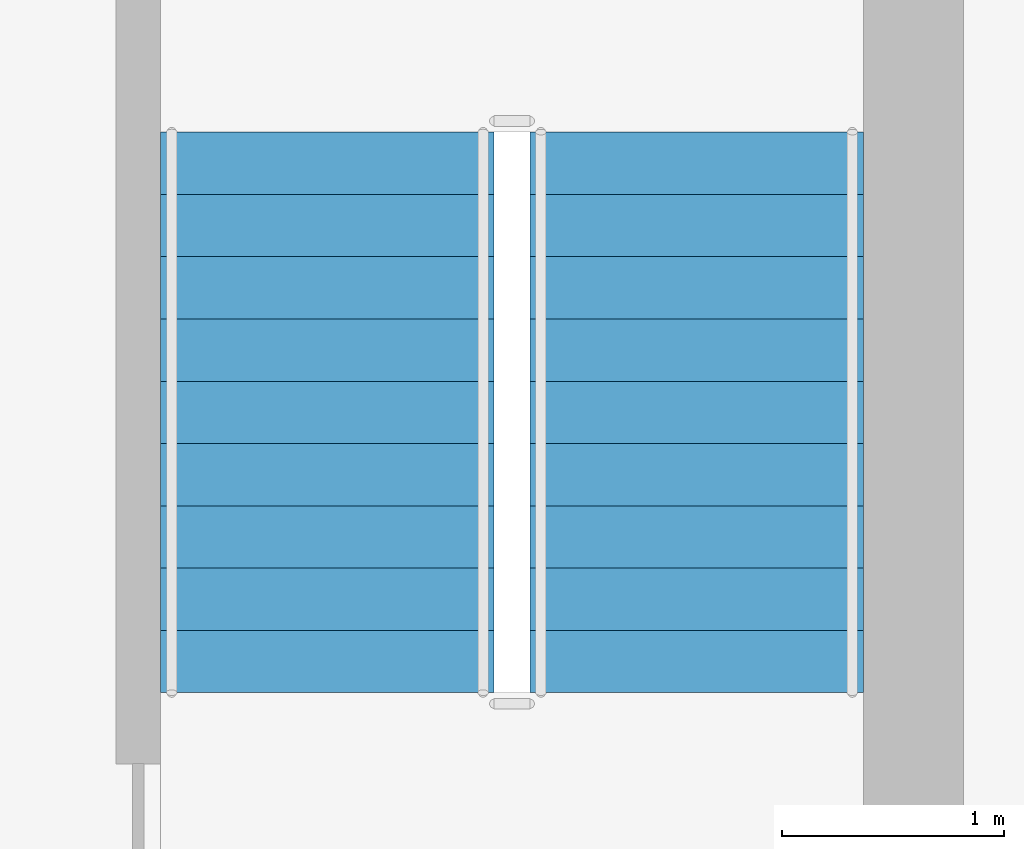
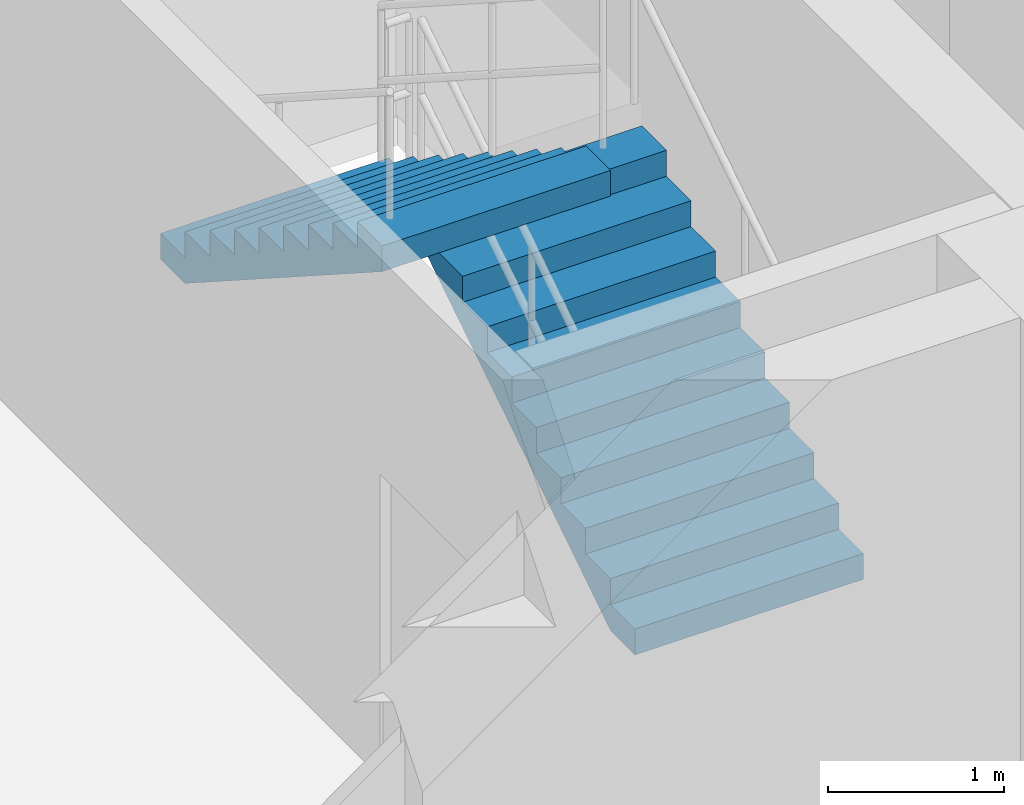
# One storey, part 12 of 14: 2 stair flights, 1 element without a shape of its own.
"""IFC4 building model written with IfcOpenShell, lengths in metres."""

from ifc_helpers import new_model, si_unit, derived_unit, direction, frame, origin, place, context, subcontext, project, spatial, polyline, outline, extrude, material, type_object, element, aggregate, save


model = new_model("IFC4")

# Units and contexts
model_context = context("Model", 3, precision=1e-05, world=origin(), true_north=direction((0.0, 1.0)))
body_context = subcontext(model_context, "Body", "Model", "MODEL_VIEW")
ifc_project = project(units=[si_unit("LENGTHUNIT", "METRE"), si_unit("AREAUNIT", "SQUARE_METRE"), si_unit("VOLUMEUNIT", "CUBIC_METRE"), si_unit("PLANEANGLEUNIT", "RADIAN"), si_unit("MASSUNIT", "GRAM", prefix="KILO"), derived_unit("THERMALTRANSMITTANCEUNIT", [(si_unit("POWERUNIT", "WATT"), 1), (si_unit("LENGTHUNIT", "METRE"), -2), (si_unit("THERMODYNAMICTEMPERATUREUNIT", "KELVIN"), -1)])], contexts=[model_context])

# Site, building, storey
site_placement = place(None, origin())
site = spatial("IfcSite", under=ifc_project, at=site_placement, CompositionType="ELEMENT")
building_placement = place(site_placement, origin())
building = spatial("IfcBuilding", under=site, at=building_placement, Name="Korsvarv Bourse and Concert Hall", CompositionType="ELEMENT")
storey_placement = place(building_placement, frame((0.0, 0.0, 175.800048828125)))
storey = spatial("IfcBuildingStorey", under=building, at=storey_placement, Name="L45", CompositionType="ELEMENT", Elevation=175.800048828125)

# Stair, stair flights
ifc_material = material(Name="Precast concrete C45/55", Category="concrete")
stair_type = type_object("IfcStairType", Name="STR-TYPE-04", PredefinedType="HALF_TURN_STAIR", material=ifc_material)
stair_placement = place(storey_placement, origin())
stair = element("IfcStair", 1, at=stair_placement, inside=storey, type_object=stair_type, Name="L45 Tower East Exit Stair ST-T2", PredefinedType="HALF_TURN_STAIR")
stair_flight_type = type_object("IfcStairFlightType", Name="FLT-TYPE-04", PredefinedType="STRAIGHT", material=ifc_material)
stair_flight_1_placement = place(storey_placement, frame((43.64990234375, 40.0, 0.0), z_axis=(0.0, 0.0, 1.0), x_axis=(0.0, 1.0, 0.0)))
stair_flight_1 = element("IfcStairFlight", 2, at=stair_flight_1_placement, type_object=stair_flight_type, Name="ST-T2 flight 1", NumberOfRisers=10, NumberOfTreads=9, PredefinedType="STRAIGHT", RiserHeight=0.18, TreadLength=0.28, context=body_context, shape_type="SweptSolid", body=[
    extrude(outline(polyline([(0.0, 0.0), (0.0, 0.179931640625), (0.280029296875, 0.179931640625), (0.280029296875, 0.360107421875), (0.56005859375, 0.360107421875), (0.56005859375, 0.5400390625), (0.840087890625, 0.5400390625), (0.840087890625, 0.719970703125), (1.1201171875, 0.719970703125), (1.1201171875, 0.89990234375), (1.39990234375, 0.89990234375), (1.39990234375, 1.080078125), (1.679931640625, 1.080078125), (1.679931640625, 1.260009765625), (1.9599609375, 1.260009765625), (1.9599609375, 1.43994140625), (2.239990234375, 1.43994140625), (2.239990234375, 1.6201171875), (2.52001953125, 1.6201171875), (2.52001953125, 1.800048828125), (2.52001953125, 1.44189453125), (0.277099609375, 0.0), (0.0, 0.0)])), frame((0.0, 0.75, 0.0), z_axis=(0.0, -1.0, 0.0), x_axis=(1.0, 0.0, 0.0)), (0.0, 0.0, 1.0), 1.5),
])
stair_flight_2_placement = place(storey_placement, frame((41.989990234375, 42.52001953125, 1.800048828125), z_axis=(0.0, 0.0, 1.0), x_axis=(0.0, -1.0, 0.0)))
stair_flight_2 = element("IfcStairFlight", 3, at=stair_flight_2_placement, type_object=stair_flight_type, Name="ST-T2 flight 2", NumberOfRisers=10, NumberOfTreads=9, PredefinedType="STRAIGHT", RiserHeight=0.18, TreadLength=0.28, context=body_context, shape_type="SweptSolid", body=[
    extrude(outline(polyline([(0.0, 0.0), (0.0, 0.179931640625), (0.280029296875, 0.179931640625), (0.280029296875, 0.360107421875), (0.56005859375, 0.360107421875), (0.56005859375, 0.5400390625), (0.840087890625, 0.5400390625), (0.840087890625, 0.719970703125), (1.1201171875, 0.719970703125), (1.1201171875, 0.89990234375), (1.39990234375, 0.89990234375), (1.39990234375, 1.080078125), (1.679931640625, 1.080078125), (1.679931640625, 1.260009765625), (1.9599609375, 1.260009765625), (1.9599609375, 1.43994140625), (2.239990234375, 1.43994140625), (2.239990234375, 1.6201171875), (2.52001953125, 1.6201171875), (2.52001953125, 1.800048828125), (2.52001953125, 1.44189453125), (0.277099609375, 0.0), (0.0, 0.0)])), frame((0.0, 0.75, 0.0), z_axis=(0.0, -1.0, 0.0), x_axis=(1.0, 0.0, 0.0)), (0.0, 0.0, 1.0), 1.5),
])
aggregate(stair, [stair_flight_1, stair_flight_2])

save(model, "model.ifc")
